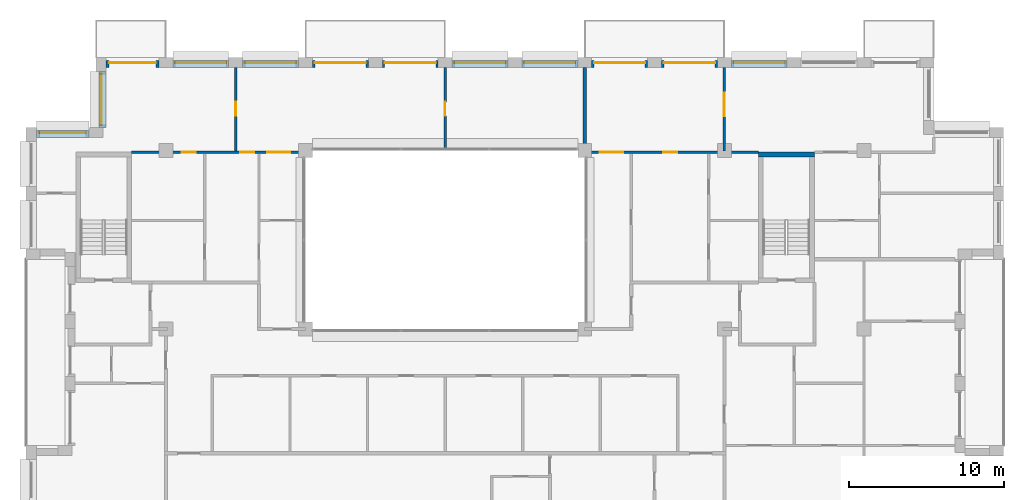
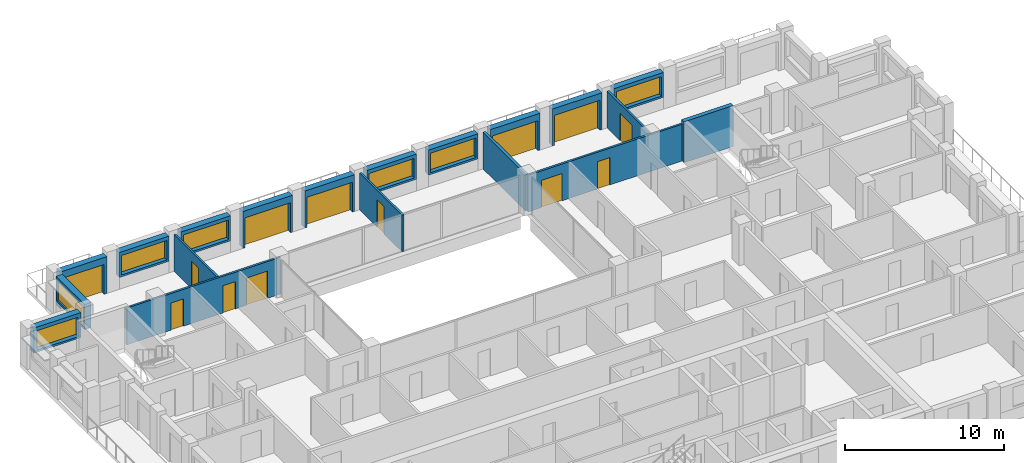
# One storey, part 13 of 15: 19 walls, 13 doors, 7 windows, 20 openings.
"""IFC4 building model written with IfcOpenShell, lengths in metres."""

from ifc_helpers import new_model, si_unit, direction, frame, frame_2d, origin, place, context, subcontext, project, spatial, rectangle, extrude, material, layer, layer_set, type_object, element, fill, save


model = new_model("IFC4")

# Units and contexts
model_context = context("Model", 3, precision=1e-05, world=origin(), true_north=direction((0.0, 1.0)))
body_context = subcontext(model_context, "Body", "Model", "MODEL_VIEW")
ifc_project = project(units=[si_unit("LENGTHUNIT", "METRE"), si_unit("AREAUNIT", "SQUARE_METRE"), si_unit("VOLUMEUNIT", "CUBIC_METRE"), si_unit("PLANEANGLEUNIT", "RADIAN"), si_unit("MASSUNIT", "GRAM", prefix="KILO")], contexts=[model_context])

# Site, building, storey
site_placement = place(None, origin())
site = spatial("IfcSite", under=ifc_project, at=site_placement, CompositionType="ELEMENT")
building_placement = place(site_placement, origin())
building = spatial("IfcBuilding", under=site, at=building_placement, Name="Brigalow Station Residences", CompositionType="ELEMENT")
storey_placement = place(building_placement, frame((0.0, 0.0, 213.75)))
storey = spatial("IfcBuildingStorey", under=building, at=storey_placement, Name="L61", CompositionType="ELEMENT", Elevation=213.75)

# Wall, opening, window
ifc_material_1 = material(Name="Clay brick masonry", Category="masonry")
ifc_layer_1 = layer(ifc_material_1, 0.449951171875)
ifc_layer_set_1 = layer_set([ifc_layer_1], Name="BRICK INFILL WALL 450")
wall_type_1 = type_object("IfcWallType", Name="BRICK INFILL WALL 450", PredefinedType="SOLIDWALL", material=ifc_layer_set_1)
wall_1_placement = place(storey_placement, frame((58.050048828125, 41.074951171875, 0.89990234375), z_axis=(0.0, 0.0, 1.0), x_axis=(-1.0, 0.0, 0.0)))
wall_1 = element("IfcWall", 1, at=wall_1_placement, inside=storey, type_object=wall_type_1, Name="L61/ewall/W-L61-22", PredefinedType="SOLIDWALL", context=body_context, shape_type="SweptSolid", body=[
    extrude(rectangle(XDim=3.60009765625, YDim=0.449951171875, at=frame_2d((1.800048828125, 0.0))), origin(), (0.0, 0.0, 1.0), 1.93017578125),
])
opening_1_placement = place(wall_1_placement, frame((0.14990234375, 0.0, 0.14990234375)))
opening_1 = element("IfcOpeningElement", 2, at=opening_1_placement, cuts=wall_1, Name="Opening WT-10", PredefinedType="OPENING", context=body_context, shape_type="SweptSolid", body=[
    extrude(rectangle(XDim=3.300048828125, YDim=1.5, at=frame_2d((1.64990234375, 0.75))), frame((0.0, 0.23486328125, 0.0), z_axis=(0.0, -1.0, 0.0), x_axis=(1.0, 0.0, 0.0)), (0.0, 0.0, 1.0), 0.469970703125),
])
ifc_material_2 = material(Name="Anodised aluminium frame with double glazing", Category="aluminium")
window_type_1 = type_object("IfcWindowType", Name="WINDOW 3300x1500", PartitioningType="SINGLE_PANEL", PredefinedType="WINDOW", material=ifc_material_2)
window_1_placement = place(opening_1_placement, origin())
window_1 = element("IfcWindow", 3, at=window_1_placement, inside=storey, type_object=window_type_1, Name="L61/window/W-L61-22", OverallHeight=1.5, OverallWidth=3.300048828125, PartitioningType="SINGLE_PANEL", PredefinedType="WINDOW", context=body_context, shape_type="SweptSolid", body=[
    extrude(rectangle(XDim=3.300048828125, YDim=1.5, at=frame_2d((1.64990234375, 0.75))), frame((0.0, -0.06494140625, 0.0), z_axis=(0.0, -1.0, 0.0), x_axis=(1.0, 0.0, 0.0)), (0.0, 0.0, 1.0), 0.06005859375),
])
fill(opening_1, window_1)

# Wall, opening, door
wall_2_placement = place(storey_placement, frame((53.550048828125, 41.074951171875, 0.0), z_axis=(0.0, 0.0, 1.0), x_axis=(-1.0, 0.0, 0.0)))
wall_2 = element("IfcWall", 4, at=wall_2_placement, inside=storey, type_object=wall_type_1, Name="L61/ewall/W-L61-23", PredefinedType="SOLIDWALL", context=body_context, shape_type="SweptSolid", body=[
    extrude(rectangle(XDim=3.60009765625, YDim=0.449951171875, at=frame_2d((1.800048828125, 0.0))), origin(), (0.0, 0.0, 1.0), 2.830078125),
])
opening_2_placement = place(wall_2_placement, frame((0.14990234375, 0.0, 0.0)))
opening_2 = element("IfcOpeningElement", 5, at=opening_2_placement, cuts=wall_2, Name="Opening D-B3300", PredefinedType="OPENING", context=body_context, shape_type="SweptSolid", body=[
    extrude(rectangle(XDim=3.300048828125, YDim=2.300048828125, at=frame_2d((1.64990234375, 1.14990234375))), frame((0.0, 0.23486328125, 0.0), z_axis=(0.0, -1.0, 0.0), x_axis=(1.0, 0.0, 0.0)), (0.0, 0.0, 1.0), 0.469970703125),
])
ifc_material_3 = material(Name="Anodised aluminium frame with double glazing", Category="aluminium")
door_type_1 = type_object("IfcDoorType", Name="BALCONY SLIDING DOOR 3300x2300", OperationType="SLIDING_TO_LEFT", PredefinedType="DOOR", material=ifc_material_3)
door_1_placement = place(opening_2_placement, origin())
door_1 = element("IfcDoor", 6, at=door_1_placement, inside=storey, type_object=door_type_1, Name="L61/balcony-door/W-L61-23", OperationType="SLIDING_TO_LEFT", OverallHeight=2.300048828125, OverallWidth=3.300048828125, PredefinedType="DOOR", context=body_context, shape_type="SweptSolid", body=[
    extrude(rectangle(XDim=3.300048828125, YDim=2.300048828125, at=frame_2d((1.64990234375, 1.14990234375))), frame((0.0, -0.06982421875, 0.0), z_axis=(0.0, -1.0, 0.0), x_axis=(1.0, 0.0, 0.0)), (0.0, 0.0, 1.0), 0.050048828125),
])
fill(opening_2, door_1)

wall_3_placement = place(storey_placement, frame((49.050048828125, 41.074951171875, 0.0), z_axis=(0.0, 0.0, 1.0), x_axis=(-1.0, 0.0, 0.0)))
wall_3 = element("IfcWall", 7, at=wall_3_placement, inside=storey, type_object=wall_type_1, Name="L61/ewall/W-L61-24", PredefinedType="SOLIDWALL", context=body_context, shape_type="SweptSolid", body=[
    extrude(rectangle(XDim=3.60009765625, YDim=0.449951171875, at=frame_2d((1.800048828125, 0.0))), origin(), (0.0, 0.0, 1.0), 2.830078125),
])
opening_3_placement = place(wall_3_placement, frame((0.14990234375, 0.0, 0.0)))
opening_3 = element("IfcOpeningElement", 8, at=opening_3_placement, cuts=wall_3, Name="Opening D-B3300", PredefinedType="OPENING", context=body_context, shape_type="SweptSolid", body=[
    extrude(rectangle(XDim=3.300048828125, YDim=2.300048828125, at=frame_2d((1.64990234375, 1.14990234375))), frame((0.0, 0.23486328125, 0.0), z_axis=(0.0, -1.0, 0.0), x_axis=(1.0, 0.0, 0.0)), (0.0, 0.0, 1.0), 0.469970703125),
])
door_2_placement = place(opening_3_placement, origin())
door_2 = element("IfcDoor", 9, at=door_2_placement, inside=storey, type_object=door_type_1, Name="L61/balcony-door/W-L61-24", OperationType="SLIDING_TO_LEFT", OverallHeight=2.300048828125, OverallWidth=3.300048828125, PredefinedType="DOOR", context=body_context, shape_type="SweptSolid", body=[
    extrude(rectangle(XDim=3.300048828125, YDim=2.300048828125, at=frame_2d((1.64990234375, 1.14990234375))), frame((0.0, -0.06982421875, 0.0), z_axis=(0.0, -1.0, 0.0), x_axis=(1.0, 0.0, 0.0)), (0.0, 0.0, 1.0), 0.050048828125),
])
fill(opening_3, door_2)

# Wall, opening, window
wall_4_placement = place(storey_placement, frame((44.550048828125, 41.074951171875, 0.89990234375), z_axis=(0.0, 0.0, 1.0), x_axis=(-1.0, 0.0, 0.0)))
wall_4 = element("IfcWall", 10, at=wall_4_placement, inside=storey, type_object=wall_type_1, Name="L61/ewall/W-L61-25", PredefinedType="SOLIDWALL", context=body_context, shape_type="SweptSolid", body=[
    extrude(rectangle(XDim=3.60009765625, YDim=0.449951171875, at=frame_2d((1.800048828125, 0.0))), origin(), (0.0, 0.0, 1.0), 1.93017578125),
])
opening_4_placement = place(wall_4_placement, frame((0.14990234375, 0.0, 0.14990234375)))
opening_4 = element("IfcOpeningElement", 11, at=opening_4_placement, cuts=wall_4, Name="Opening WT-10", PredefinedType="OPENING", context=body_context, shape_type="SweptSolid", body=[
    extrude(rectangle(XDim=3.300048828125, YDim=1.5, at=frame_2d((1.64990234375, 0.75))), frame((0.0, 0.23486328125, 0.0), z_axis=(0.0, -1.0, 0.0), x_axis=(1.0, 0.0, 0.0)), (0.0, 0.0, 1.0), 0.469970703125),
])
window_2_placement = place(opening_4_placement, origin())
window_2 = element("IfcWindow", 12, at=window_2_placement, inside=storey, type_object=window_type_1, Name="L61/window/W-L61-25", OverallHeight=1.5, OverallWidth=3.300048828125, PartitioningType="SINGLE_PANEL", PredefinedType="WINDOW", context=body_context, shape_type="SweptSolid", body=[
    extrude(rectangle(XDim=3.300048828125, YDim=1.5, at=frame_2d((1.64990234375, 0.75))), frame((0.0, -0.06494140625, 0.0), z_axis=(0.0, -1.0, 0.0), x_axis=(1.0, 0.0, 0.0)), (0.0, 0.0, 1.0), 0.06005859375),
])
fill(opening_4, window_2)

wall_5_placement = place(storey_placement, frame((40.050048828125, 41.074951171875, 0.89990234375), z_axis=(0.0, 0.0, 1.0), x_axis=(-1.0, 0.0, 0.0)))
wall_5 = element("IfcWall", 13, at=wall_5_placement, inside=storey, type_object=wall_type_1, Name="L61/ewall/W-L61-26", PredefinedType="SOLIDWALL", context=body_context, shape_type="SweptSolid", body=[
    extrude(rectangle(XDim=3.60009765625, YDim=0.449951171875, at=frame_2d((1.800048828125, 0.0))), origin(), (0.0, 0.0, 1.0), 1.93017578125),
])
opening_5_placement = place(wall_5_placement, frame((0.14990234375, 0.0, 0.14990234375)))
opening_5 = element("IfcOpeningElement", 14, at=opening_5_placement, cuts=wall_5, Name="Opening WT-10", PredefinedType="OPENING", context=body_context, shape_type="SweptSolid", body=[
    extrude(rectangle(XDim=3.300048828125, YDim=1.5, at=frame_2d((1.64990234375, 0.75))), frame((0.0, 0.23486328125, 0.0), z_axis=(0.0, -1.0, 0.0), x_axis=(1.0, 0.0, 0.0)), (0.0, 0.0, 1.0), 0.469970703125),
])
window_3_placement = place(opening_5_placement, origin())
window_3 = element("IfcWindow", 15, at=window_3_placement, inside=storey, type_object=window_type_1, Name="L61/window/W-L61-26", OverallHeight=1.5, OverallWidth=3.300048828125, PartitioningType="SINGLE_PANEL", PredefinedType="WINDOW", context=body_context, shape_type="SweptSolid", body=[
    extrude(rectangle(XDim=3.300048828125, YDim=1.5, at=frame_2d((1.64990234375, 0.75))), frame((0.0, -0.06494140625, 0.0), z_axis=(0.0, -1.0, 0.0), x_axis=(1.0, 0.0, 0.0)), (0.0, 0.0, 1.0), 0.06005859375),
])
fill(opening_5, window_3)

# Wall, opening, door
wall_6_placement = place(storey_placement, frame((35.550048828125, 41.074951171875, 0.0), z_axis=(0.0, 0.0, 1.0), x_axis=(-1.0, 0.0, 0.0)))
wall_6 = element("IfcWall", 16, at=wall_6_placement, inside=storey, type_object=wall_type_1, Name="L61/ewall/W-L61-27", PredefinedType="SOLIDWALL", context=body_context, shape_type="SweptSolid", body=[
    extrude(rectangle(XDim=3.60009765625, YDim=0.449951171875, at=frame_2d((1.800048828125, 0.0))), origin(), (0.0, 0.0, 1.0), 2.830078125),
])
opening_6_placement = place(wall_6_placement, frame((0.14990234375, 0.0, 0.0)))
opening_6 = element("IfcOpeningElement", 17, at=opening_6_placement, cuts=wall_6, Name="Opening D-B3300", PredefinedType="OPENING", context=body_context, shape_type="SweptSolid", body=[
    extrude(rectangle(XDim=3.300048828125, YDim=2.300048828125, at=frame_2d((1.64990234375, 1.14990234375))), frame((0.0, 0.23486328125, 0.0), z_axis=(0.0, -1.0, 0.0), x_axis=(1.0, 0.0, 0.0)), (0.0, 0.0, 1.0), 0.469970703125),
])
door_3_placement = place(opening_6_placement, origin())
door_3 = element("IfcDoor", 18, at=door_3_placement, inside=storey, type_object=door_type_1, Name="L61/balcony-door/W-L61-27", OperationType="SLIDING_TO_LEFT", OverallHeight=2.300048828125, OverallWidth=3.300048828125, PredefinedType="DOOR", context=body_context, shape_type="SweptSolid", body=[
    extrude(rectangle(XDim=3.300048828125, YDim=2.300048828125, at=frame_2d((1.64990234375, 1.14990234375))), frame((0.0, -0.06982421875, 0.0), z_axis=(0.0, -1.0, 0.0), x_axis=(1.0, 0.0, 0.0)), (0.0, 0.0, 1.0), 0.050048828125),
])
fill(opening_6, door_3)

wall_7_placement = place(storey_placement, frame((31.050048828125, 41.074951171875, 0.0), z_axis=(0.0, 0.0, 1.0), x_axis=(-1.0, 0.0, 0.0)))
wall_7 = element("IfcWall", 19, at=wall_7_placement, inside=storey, type_object=wall_type_1, Name="L61/ewall/W-L61-28", PredefinedType="SOLIDWALL", context=body_context, shape_type="SweptSolid", body=[
    extrude(rectangle(XDim=3.60009765625, YDim=0.449951171875, at=frame_2d((1.800048828125, 0.0))), origin(), (0.0, 0.0, 1.0), 2.830078125),
])
opening_7_placement = place(wall_7_placement, frame((0.14990234375, 0.0, 0.0)))
opening_7 = element("IfcOpeningElement", 20, at=opening_7_placement, cuts=wall_7, Name="Opening D-B3300", PredefinedType="OPENING", context=body_context, shape_type="SweptSolid", body=[
    extrude(rectangle(XDim=3.300048828125, YDim=2.300048828125, at=frame_2d((1.64990234375, 1.14990234375))), frame((0.0, 0.23486328125, 0.0), z_axis=(0.0, -1.0, 0.0), x_axis=(1.0, 0.0, 0.0)), (0.0, 0.0, 1.0), 0.469970703125),
])
door_4_placement = place(opening_7_placement, origin())
door_4 = element("IfcDoor", 21, at=door_4_placement, inside=storey, type_object=door_type_1, Name="L61/balcony-door/W-L61-28", OperationType="SLIDING_TO_LEFT", OverallHeight=2.300048828125, OverallWidth=3.300048828125, PredefinedType="DOOR", context=body_context, shape_type="SweptSolid", body=[
    extrude(rectangle(XDim=3.300048828125, YDim=2.300048828125, at=frame_2d((1.64990234375, 1.14990234375))), frame((0.0, -0.06982421875, 0.0), z_axis=(0.0, -1.0, 0.0), x_axis=(1.0, 0.0, 0.0)), (0.0, 0.0, 1.0), 0.050048828125),
])
fill(opening_7, door_4)

# Wall, opening, window
wall_8_placement = place(storey_placement, frame((26.550048828125, 41.074951171875, 0.89990234375), z_axis=(0.0, 0.0, 1.0), x_axis=(-1.0, 0.0, 0.0)))
wall_8 = element("IfcWall", 22, at=wall_8_placement, inside=storey, type_object=wall_type_1, Name="L61/ewall/W-L61-29", PredefinedType="SOLIDWALL", context=body_context, shape_type="SweptSolid", body=[
    extrude(rectangle(XDim=3.60009765625, YDim=0.449951171875, at=frame_2d((1.800048828125, 0.0))), origin(), (0.0, 0.0, 1.0), 1.93017578125),
])
opening_8_placement = place(wall_8_placement, frame((0.14990234375, 0.0, 0.14990234375)))
opening_8 = element("IfcOpeningElement", 23, at=opening_8_placement, cuts=wall_8, Name="Opening WT-10", PredefinedType="OPENING", context=body_context, shape_type="SweptSolid", body=[
    extrude(rectangle(XDim=3.300048828125, YDim=1.5, at=frame_2d((1.64990234375, 0.75))), frame((0.0, 0.23486328125, 0.0), z_axis=(0.0, -1.0, 0.0), x_axis=(1.0, 0.0, 0.0)), (0.0, 0.0, 1.0), 0.469970703125),
])
window_4_placement = place(opening_8_placement, origin())
window_4 = element("IfcWindow", 24, at=window_4_placement, inside=storey, type_object=window_type_1, Name="L61/window/W-L61-29", OverallHeight=1.5, OverallWidth=3.300048828125, PartitioningType="SINGLE_PANEL", PredefinedType="WINDOW", context=body_context, shape_type="SweptSolid", body=[
    extrude(rectangle(XDim=3.300048828125, YDim=1.5, at=frame_2d((1.64990234375, 0.75))), frame((0.0, -0.06494140625, 0.0), z_axis=(0.0, -1.0, 0.0), x_axis=(1.0, 0.0, 0.0)), (0.0, 0.0, 1.0), 0.06005859375),
])
fill(opening_8, window_4)

wall_9_placement = place(storey_placement, frame((22.050048828125, 41.074951171875, 0.89990234375), z_axis=(0.0, 0.0, 1.0), x_axis=(-1.0, 0.0, 0.0)))
wall_9 = element("IfcWall", 25, at=wall_9_placement, inside=storey, type_object=wall_type_1, Name="L61/ewall/W-L61-30", PredefinedType="SOLIDWALL", context=body_context, shape_type="SweptSolid", body=[
    extrude(rectangle(XDim=3.60009765625, YDim=0.449951171875, at=frame_2d((1.800048828125, 0.0))), origin(), (0.0, 0.0, 1.0), 1.93017578125),
])
opening_9_placement = place(wall_9_placement, frame((0.14990234375, 0.0, 0.14990234375)))
opening_9 = element("IfcOpeningElement", 26, at=opening_9_placement, cuts=wall_9, Name="Opening WT-10", PredefinedType="OPENING", context=body_context, shape_type="SweptSolid", body=[
    extrude(rectangle(XDim=3.300048828125, YDim=1.5, at=frame_2d((1.64990234375, 0.75))), frame((0.0, 0.23486328125, 0.0), z_axis=(0.0, -1.0, 0.0), x_axis=(1.0, 0.0, 0.0)), (0.0, 0.0, 1.0), 0.469970703125),
])
window_5_placement = place(opening_9_placement, origin())
window_5 = element("IfcWindow", 27, at=window_5_placement, inside=storey, type_object=window_type_1, Name="L61/window/W-L61-30", OverallHeight=1.5, OverallWidth=3.300048828125, PartitioningType="SINGLE_PANEL", PredefinedType="WINDOW", context=body_context, shape_type="SweptSolid", body=[
    extrude(rectangle(XDim=3.300048828125, YDim=1.5, at=frame_2d((1.64990234375, 0.75))), frame((0.0, -0.06494140625, 0.0), z_axis=(0.0, -1.0, 0.0), x_axis=(1.0, 0.0, 0.0)), (0.0, 0.0, 1.0), 0.06005859375),
])
fill(opening_9, window_5)

# Wall, opening, door
wall_10_placement = place(storey_placement, frame((17.550048828125, 41.074951171875, 0.0), z_axis=(0.0, 0.0, 1.0), x_axis=(-1.0, 0.0, 0.0)))
wall_10 = element("IfcWall", 28, at=wall_10_placement, inside=storey, type_object=wall_type_1, Name="L61/ewall/W-L61-31", PredefinedType="SOLIDWALL", context=body_context, shape_type="SweptSolid", body=[
    extrude(rectangle(XDim=3.400146484375, YDim=0.449951171875, at=frame_2d((1.7001953125, 0.0))), origin(), (0.0, 0.0, 1.0), 2.830078125),
])
opening_10_placement = place(wall_10_placement, frame((0.199951171875, 0.0, 0.0)))
opening_10 = element("IfcOpeningElement", 29, at=opening_10_placement, cuts=wall_10, Name="Opening D-B3000", PredefinedType="OPENING", context=body_context, shape_type="SweptSolid", body=[
    extrude(rectangle(XDim=3.0, YDim=2.300048828125, at=frame_2d((1.5, 1.14990234375))), frame((0.0, 0.23486328125, 0.0), z_axis=(0.0, -1.0, 0.0), x_axis=(1.0, 0.0, 0.0)), (0.0, 0.0, 1.0), 0.469970703125),
])
ifc_material_4 = material(Name="Anodised aluminium frame with double glazing", Category="aluminium")
door_type_2 = type_object("IfcDoorType", Name="BALCONY SLIDING DOOR 3000x2300", OperationType="SLIDING_TO_LEFT", PredefinedType="DOOR", material=ifc_material_4)
door_5_placement = place(opening_10_placement, origin())
door_5 = element("IfcDoor", 30, at=door_5_placement, inside=storey, type_object=door_type_2, Name="L61/balcony-door/W-L61-31", OperationType="SLIDING_TO_LEFT", OverallHeight=2.300048828125, OverallWidth=3.0, PredefinedType="DOOR", context=body_context, shape_type="SweptSolid", body=[
    extrude(rectangle(XDim=3.0, YDim=2.300048828125, at=frame_2d((1.5, 1.14990234375))), frame((0.0, -0.06982421875, 0.0), z_axis=(0.0, -1.0, 0.0), x_axis=(1.0, 0.0, 0.0)), (0.0, 0.0, 1.0), 0.050048828125),
])
fill(opening_10, door_5)

# Wall, opening, window
wall_11_placement = place(storey_placement, frame((13.925048828125, 40.60009765625, 0.89990234375), z_axis=(0.0, 0.0, 1.0), x_axis=(0.0, -1.0, 0.0)))
wall_11 = element("IfcWall", 31, at=wall_11_placement, inside=storey, type_object=wall_type_1, Name="L61/ewall/W-L61-32", PredefinedType="SOLIDWALL", context=body_context, shape_type="SweptSolid", body=[
    extrude(rectangle(XDim=3.60009765625, YDim=0.449951171875, at=frame_2d((1.800048828125, 0.0))), origin(), (0.0, 0.0, 1.0), 1.93017578125),
])
opening_11_placement = place(wall_11_placement, frame((0.14990234375, 0.0, 0.14990234375)))
opening_11 = element("IfcOpeningElement", 32, at=opening_11_placement, cuts=wall_11, Name="Opening WT-10", PredefinedType="OPENING", context=body_context, shape_type="SweptSolid", body=[
    extrude(rectangle(XDim=3.300048828125, YDim=1.5, at=frame_2d((1.64990234375, 0.75))), frame((0.0, 0.23486328125, 0.0), z_axis=(0.0, -1.0, 0.0), x_axis=(1.0, 0.0, 0.0)), (0.0, 0.0, 1.0), 0.469970703125),
])
window_6_placement = place(opening_11_placement, origin())
window_6 = element("IfcWindow", 33, at=window_6_placement, inside=storey, type_object=window_type_1, Name="L61/window/W-L61-32", OverallHeight=1.5, OverallWidth=3.300048828125, PartitioningType="SINGLE_PANEL", PredefinedType="WINDOW", context=body_context, shape_type="SweptSolid", body=[
    extrude(rectangle(XDim=3.300048828125, YDim=1.5, at=frame_2d((1.64990234375, 0.75))), frame((0.0, -0.06494140625, 0.0), z_axis=(0.0, -1.0, 0.0), x_axis=(1.0, 0.0, 0.0)), (0.0, 0.0, 1.0), 0.06005859375),
])
fill(opening_11, window_6)

wall_12_placement = place(storey_placement, frame((13.050048828125, 36.574951171875, 0.89990234375), z_axis=(0.0, 0.0, 1.0), x_axis=(-1.0, 0.0, 0.0)))
wall_12 = element("IfcWall", 34, at=wall_12_placement, inside=storey, type_object=wall_type_1, Name="L61/ewall/W-L61-33", PredefinedType="SOLIDWALL", context=body_context, shape_type="SweptSolid", body=[
    extrude(rectangle(XDim=3.400146484375, YDim=0.449951171875, at=frame_2d((1.7001953125, 0.0))), origin(), (0.0, 0.0, 1.0), 1.93017578125),
])
opening_12_placement = place(wall_12_placement, frame((0.199951171875, 0.0, 0.14990234375)))
opening_12 = element("IfcOpeningElement", 35, at=opening_12_placement, cuts=wall_12, Name="Opening WT-2", PredefinedType="OPENING", context=body_context, shape_type="SweptSolid", body=[
    extrude(rectangle(XDim=3.0, YDim=1.5, at=frame_2d((1.5, 0.75))), frame((0.0, 0.23486328125, 0.0), z_axis=(0.0, -1.0, 0.0), x_axis=(1.0, 0.0, 0.0)), (0.0, 0.0, 1.0), 0.469970703125),
])
ifc_material_5 = material(Name="Anodised aluminium frame with double glazing", Category="aluminium")
window_type_2 = type_object("IfcWindowType", Name="WINDOW 3000x1500", PartitioningType="SINGLE_PANEL", PredefinedType="WINDOW", material=ifc_material_5)
window_7_placement = place(opening_12_placement, origin())
window_7 = element("IfcWindow", 36, at=window_7_placement, inside=storey, type_object=window_type_2, Name="L61/window/W-L61-33", OverallHeight=1.5, OverallWidth=3.0, PartitioningType="SINGLE_PANEL", PredefinedType="WINDOW", context=body_context, shape_type="SweptSolid", body=[
    extrude(rectangle(XDim=3.0, YDim=1.5, at=frame_2d((1.5, 0.75))), frame((0.0, -0.06494140625, 0.0), z_axis=(0.0, -1.0, 0.0), x_axis=(1.0, 0.0, 0.0)), (0.0, 0.0, 1.0), 0.06005859375),
])
fill(opening_12, window_7)

# Wall
ifc_material_6 = material(Name="Concrete C50", Category="concrete")
ifc_layer_2 = layer(ifc_material_6, 0.300048828125)
ifc_layer_set_2 = layer_set([ifc_layer_2], Name="CORE SHEAR WALL 300 C50")
wall_type_2 = type_object("IfcWallType", Name="CORE SHEAR WALL 300 C50", PredefinedType="SHEAR", material=ifc_layer_set_2)
wall_13_placement = place(storey_placement, frame((56.199951171875, 35.25, 0.0), z_axis=(0.0, 0.0, 1.0), x_axis=(1.0, 0.0, 0.0)))
element("IfcWall", 37, at=wall_13_placement, inside=storey, type_object=wall_type_2, Name="CORE WALL ST-S3-N L61", PredefinedType="SHEAR", context=body_context, shape_type="SweptSolid", body=[
    extrude(rectangle(XDim=3.60009765625, YDim=0.300048828125, at=frame_2d((1.800048828125, 0.0))), origin(), (0.0, 0.0, 1.0), 3.14990234375),
])

# Wall, openings, doors
ifc_material_7 = material(Name="Plasterboard on steel stud partition", Category="steel")
ifc_layer_3 = layer(ifc_material_7, 0.14990234375)
ifc_layer_set_3 = layer_set([ifc_layer_3], Name="FLAT PARTITION 150")
wall_type_3 = type_object("IfcWallType", Name="FLAT PARTITION 150", PredefinedType="PARTITIONING", material=ifc_layer_set_3)
wall_14_placement = place(storey_placement, frame((15.800048828125, 35.39990234375, 0.0), z_axis=(0.0, 0.0, 1.0), x_axis=(1.0, 0.0, 0.0)))
wall_14 = element("IfcWall", 38, at=wall_14_placement, inside=storey, type_object=wall_type_3, Name="PW-4B19", PredefinedType="PARTITIONING", context=body_context, shape_type="SweptSolid", body=[
    extrude(rectangle(XDim=11.199951171875, YDim=0.14990234375, at=frame_2d((5.60009765625, 0.0))), origin(), (0.0, 0.0, 1.0), 2.830078125),
])
opening_13_placement = place(wall_14_placement, frame((8.72509765625, 0.0, 0.0)))
opening_13 = element("IfcOpeningElement", 39, at=opening_13_placement, cuts=wall_14, Name="Opening D-4B14", PredefinedType="OPENING", context=body_context, shape_type="SweptSolid", body=[
    extrude(rectangle(XDim=1.5, YDim=2.10009765625, at=frame_2d((0.75, 1.050048828125))), frame((0.0, 0.0849609375, 0.0), z_axis=(0.0, -1.0, 0.0), x_axis=(1.0, 0.0, 0.0)), (0.0, 0.0, 1.0), 0.169921875),
])
opening_14_placement = place(wall_14_placement, frame((7.0, 0.0, 0.0)))
opening_14 = element("IfcOpeningElement", 40, at=opening_14_placement, cuts=wall_14, Name="Opening D-4B15", PredefinedType="OPENING", context=body_context, shape_type="SweptSolid", body=[
    extrude(rectangle(XDim=0.89990234375, YDim=2.10009765625, at=frame_2d((0.449951171875, 1.050048828125))), frame((0.0, 0.0849609375, 0.0), z_axis=(0.0, -1.0, 0.0), x_axis=(1.0, 0.0, 0.0)), (0.0, 0.0, 1.0), 0.169921875),
])
opening_15_placement = place(wall_14_placement, frame((3.22509765625, 0.0, 0.0)))
opening_15 = element("IfcOpeningElement", 41, at=opening_15_placement, cuts=wall_14, Name="Opening D-4B18", PredefinedType="OPENING", context=body_context, shape_type="SweptSolid", body=[
    extrude(rectangle(XDim=0.89990234375, YDim=2.10009765625, at=frame_2d((0.449951171875, 1.050048828125))), frame((0.0, 0.0849609375, 0.0), z_axis=(0.0, -1.0, 0.0), x_axis=(1.0, 0.0, 0.0)), (0.0, 0.0, 1.0), 0.169921875),
])
ifc_material_8 = material(Name="Solid-core timber door leaf", Category="wood")
door_type_3 = type_object("IfcDoorType", Name="INTERNAL DOOR 900 x 2100", OperationType="SINGLE_SWING_LEFT", PredefinedType="DOOR", material=ifc_material_8)
door_6_placement = place(opening_14_placement, frame((0.89990234375, 0.0, 0.0), z_axis=(0.0, 0.0, 1.0), x_axis=(-1.0, 0.0, 0.0)))
door_6 = element("IfcDoor", 42, at=door_6_placement, inside=storey, type_object=door_type_3, Name="D-4B15", OperationType="SINGLE_SWING_LEFT", OverallHeight=2.10009765625, OverallWidth=0.89990234375, PredefinedType="DOOR", context=body_context, shape_type="SweptSolid", body=[
    extrude(rectangle(XDim=0.89990234375, YDim=2.10009765625, at=frame_2d((0.449951171875, 1.050048828125))), frame((0.0, 0.02490234375, 0.0), z_axis=(0.0, -1.0, 0.0), x_axis=(1.0, 0.0, 0.0)), (0.0, 0.0, 1.0), 0.050048828125),
])
fill(opening_14, door_6)
door_7_placement = place(opening_15_placement, frame((0.89990234375, 0.0, 0.0), z_axis=(0.0, 0.0, 1.0), x_axis=(-1.0, 0.0, 0.0)))
door_7 = element("IfcDoor", 43, at=door_7_placement, inside=storey, type_object=door_type_3, Name="D-4B18", OperationType="SINGLE_SWING_LEFT", OverallHeight=2.10009765625, OverallWidth=0.89990234375, PredefinedType="DOOR", context=body_context, shape_type="SweptSolid", body=[
    extrude(rectangle(XDim=0.89990234375, YDim=2.10009765625, at=frame_2d((0.449951171875, 1.050048828125))), frame((0.0, 0.02490234375, 0.0), z_axis=(0.0, -1.0, 0.0), x_axis=(1.0, 0.0, 0.0)), (0.0, 0.0, 1.0), 0.050048828125),
])
fill(opening_15, door_7)
ifc_material_9 = material(Name="Solid-core timber door leaf", Category="wood")
door_type_4 = type_object("IfcDoorType", Name="INTERNAL DOUBLE DOOR 1500 x 2100", OperationType="DOUBLE_DOOR_SINGLE_SWING", PredefinedType="DOOR", material=ifc_material_9)
door_8_placement = place(opening_13_placement, origin())
door_8 = element("IfcDoor", 44, at=door_8_placement, inside=storey, type_object=door_type_4, Name="D-4B14", OperationType="DOUBLE_DOOR_SINGLE_SWING", OverallHeight=2.10009765625, OverallWidth=1.5, PredefinedType="DOOR", context=body_context, shape_type="SweptSolid", body=[
    extrude(rectangle(XDim=1.5, YDim=2.10009765625, at=frame_2d((0.75, 1.050048828125))), frame((0.0, 0.02490234375, 0.0), z_axis=(0.0, -1.0, 0.0), x_axis=(1.0, 0.0, 0.0)), (0.0, 0.0, 1.0), 0.050048828125),
])
fill(opening_13, door_8)

wall_15_placement = place(storey_placement, frame((45.0, 35.39990234375, 0.0), z_axis=(0.0, 0.0, 1.0), x_axis=(1.0, 0.0, 0.0)))
wall_15 = element("IfcWall", 45, at=wall_15_placement, inside=storey, type_object=wall_type_3, Name="PW-4B20", PredefinedType="PARTITIONING", context=body_context, shape_type="SweptSolid", body=[
    extrude(rectangle(XDim=11.199951171875, YDim=0.14990234375, at=frame_2d((5.60009765625, 0.0))), origin(), (0.0, 0.0, 1.0), 2.830078125),
])
opening_16_placement = place(wall_15_placement, frame((0.97509765625, 0.0, 0.0)))
opening_16 = element("IfcOpeningElement", 46, at=opening_16_placement, cuts=wall_15, Name="Opening D-4B22", PredefinedType="OPENING", context=body_context, shape_type="SweptSolid", body=[
    extrude(rectangle(XDim=1.5, YDim=2.10009765625, at=frame_2d((0.75, 1.050048828125))), frame((0.0, 0.0849609375, 0.0), z_axis=(0.0, -1.0, 0.0), x_axis=(1.0, 0.0, 0.0)), (0.0, 0.0, 1.0), 0.169921875),
])
opening_17_placement = place(wall_15_placement, frame((5.050048828125, 0.0, 0.0)))
opening_17 = element("IfcOpeningElement", 47, at=opening_17_placement, cuts=wall_15, Name="Opening D-4B23", PredefinedType="OPENING", context=body_context, shape_type="SweptSolid", body=[
    extrude(rectangle(XDim=0.89990234375, YDim=2.10009765625, at=frame_2d((0.449951171875, 1.050048828125))), frame((0.0, 0.0849609375, 0.0), z_axis=(0.0, -1.0, 0.0), x_axis=(1.0, 0.0, 0.0)), (0.0, 0.0, 1.0), 0.169921875),
])
door_9_placement = place(opening_17_placement, frame((0.89990234375, 0.0, 0.0), z_axis=(0.0, 0.0, 1.0), x_axis=(-1.0, 0.0, 0.0)))
door_9 = element("IfcDoor", 48, at=door_9_placement, inside=storey, type_object=door_type_3, Name="D-4B23", OperationType="SINGLE_SWING_LEFT", OverallHeight=2.10009765625, OverallWidth=0.89990234375, PredefinedType="DOOR", context=body_context, shape_type="SweptSolid", body=[
    extrude(rectangle(XDim=0.89990234375, YDim=2.10009765625, at=frame_2d((0.449951171875, 1.050048828125))), frame((0.0, 0.02490234375, 0.0), z_axis=(0.0, -1.0, 0.0), x_axis=(1.0, 0.0, 0.0)), (0.0, 0.0, 1.0), 0.050048828125),
])
fill(opening_17, door_9)
door_10_placement = place(opening_16_placement, frame((1.5, 0.0, 0.0), z_axis=(0.0, 0.0, 1.0), x_axis=(-1.0, 0.0, 0.0)))
door_10 = element("IfcDoor", 49, at=door_10_placement, inside=storey, type_object=door_type_4, Name="D-4B22", OperationType="DOUBLE_DOOR_SINGLE_SWING", OverallHeight=2.10009765625, OverallWidth=1.5, PredefinedType="DOOR", context=body_context, shape_type="SweptSolid", body=[
    extrude(rectangle(XDim=1.5, YDim=2.10009765625, at=frame_2d((0.75, 1.050048828125))), frame((0.0, 0.02490234375, 0.0), z_axis=(0.0, -1.0, 0.0), x_axis=(1.0, 0.0, 0.0)), (0.0, 0.0, 1.0), 0.050048828125),
])
fill(opening_16, door_10)

# Wall, opening, door
wall_16_placement = place(storey_placement, frame((54.0, 35.47509765625, 0.0), z_axis=(0.0, 0.0, 1.0), x_axis=(0.0, 1.0, 0.0)))
wall_16 = element("IfcWall", 50, at=wall_16_placement, inside=storey, type_object=wall_type_3, Name="PW-4B29", PredefinedType="PARTITIONING", context=body_context, shape_type="SweptSolid", body=[
    extrude(rectangle(XDim=5.375, YDim=0.14990234375, at=frame_2d((2.6875, 0.0))), origin(), (0.0, 0.0, 1.0), 2.830078125),
])
opening_18_placement = place(wall_16_placement, frame((2.25, 0.0, 0.0)))
opening_18 = element("IfcOpeningElement", 51, at=opening_18_placement, cuts=wall_16, Name="Opening D-4B26", PredefinedType="OPENING", context=body_context, shape_type="SweptSolid", body=[
    extrude(rectangle(XDim=1.5, YDim=2.10009765625, at=frame_2d((0.75, 1.050048828125))), frame((0.0, 0.0849609375, 0.0), z_axis=(0.0, -1.0, 0.0), x_axis=(1.0, 0.0, 0.0)), (0.0, 0.0, 1.0), 0.169921875),
])
door_11_placement = place(opening_18_placement, origin())
door_11 = element("IfcDoor", 52, at=door_11_placement, inside=storey, type_object=door_type_4, Name="D-4B26", OperationType="DOUBLE_DOOR_SINGLE_SWING", OverallHeight=2.10009765625, OverallWidth=1.5, PredefinedType="DOOR", context=body_context, shape_type="SweptSolid", body=[
    extrude(rectangle(XDim=1.5, YDim=2.10009765625, at=frame_2d((0.75, 1.050048828125))), frame((0.0, 0.02490234375, 0.0), z_axis=(0.0, -1.0, 0.0), x_axis=(1.0, 0.0, 0.0)), (0.0, 0.0, 1.0), 0.050048828125),
])
fill(opening_18, door_11)

wall_17_placement = place(storey_placement, frame((22.5, 35.47509765625, 0.0), z_axis=(0.0, 0.0, 1.0), x_axis=(0.0, 1.0, 0.0)))
wall_17 = element("IfcWall", 53, at=wall_17_placement, inside=storey, type_object=wall_type_3, Name="PW-4B40", PredefinedType="PARTITIONING", context=body_context, shape_type="SweptSolid", body=[
    extrude(rectangle(XDim=5.375, YDim=0.14990234375, at=frame_2d((2.6875, 0.0))), origin(), (0.0, 0.0, 1.0), 2.830078125),
])
opening_19_placement = place(wall_17_placement, frame((2.27490234375, 0.0, 0.0)))
opening_19 = element("IfcOpeningElement", 54, at=opening_19_placement, cuts=wall_17, Name="Opening D-4B16", PredefinedType="OPENING", context=body_context, shape_type="SweptSolid", body=[
    extrude(rectangle(XDim=0.89990234375, YDim=2.10009765625, at=frame_2d((0.449951171875, 1.050048828125))), frame((0.0, 0.0849609375, 0.0), z_axis=(0.0, -1.0, 0.0), x_axis=(1.0, 0.0, 0.0)), (0.0, 0.0, 1.0), 0.169921875),
])
door_12_placement = place(opening_19_placement, origin())
door_12 = element("IfcDoor", 55, at=door_12_placement, inside=storey, type_object=door_type_3, Name="D-4B16", OperationType="SINGLE_SWING_RIGHT", OverallHeight=2.10009765625, OverallWidth=0.89990234375, PredefinedType="DOOR", context=body_context, shape_type="SweptSolid", body=[
    extrude(rectangle(XDim=0.89990234375, YDim=2.10009765625, at=frame_2d((0.449951171875, 1.050048828125))), frame((0.0, 0.02490234375, 0.0), z_axis=(0.0, -1.0, 0.0), x_axis=(1.0, 0.0, 0.0)), (0.0, 0.0, 1.0), 0.050048828125),
])
fill(opening_19, door_12)

wall_18_placement = place(storey_placement, frame((36.0, 35.5, 0.0), z_axis=(0.0, 0.0, 1.0), x_axis=(0.0, 1.0, 0.0)))
wall_18 = element("IfcWall", 56, at=wall_18_placement, inside=storey, type_object=wall_type_3, Name="PW-4B42", PredefinedType="PARTITIONING", context=body_context, shape_type="SweptSolid", body=[
    extrude(rectangle(XDim=5.35009765625, YDim=0.14990234375, at=frame_2d((2.675048828125, 0.0))), origin(), (0.0, 0.0, 1.0), 2.830078125),
])
opening_20_placement = place(wall_18_placement, frame((2.25, 0.0, 0.0)))
opening_20 = element("IfcOpeningElement", 57, at=opening_20_placement, cuts=wall_18, Name="Opening D-4B19", PredefinedType="OPENING", context=body_context, shape_type="SweptSolid", body=[
    extrude(rectangle(XDim=0.89990234375, YDim=2.10009765625, at=frame_2d((0.449951171875, 1.050048828125))), frame((0.0, 0.0849609375, 0.0), z_axis=(0.0, -1.0, 0.0), x_axis=(1.0, 0.0, 0.0)), (0.0, 0.0, 1.0), 0.169921875),
])
door_13_placement = place(opening_20_placement, frame((0.89990234375, 0.0, 0.0), z_axis=(0.0, 0.0, 1.0), x_axis=(-1.0, 0.0, 0.0)))
door_13 = element("IfcDoor", 58, at=door_13_placement, inside=storey, type_object=door_type_3, Name="D-4B19", OperationType="SINGLE_SWING_LEFT", OverallHeight=2.10009765625, OverallWidth=0.89990234375, PredefinedType="DOOR", context=body_context, shape_type="SweptSolid", body=[
    extrude(rectangle(XDim=0.89990234375, YDim=2.10009765625, at=frame_2d((0.449951171875, 1.050048828125))), frame((0.0, 0.02490234375, 0.0), z_axis=(0.0, -1.0, 0.0), x_axis=(1.0, 0.0, 0.0)), (0.0, 0.0, 1.0), 0.050048828125),
])
fill(opening_20, door_13)

# Wall
ifc_material_10 = material(Name="Plasterboard on steel stud partition", Category="steel")
ifc_layer_4 = layer(ifc_material_10, 0.199951171875)
ifc_layer_set_4 = layer_set([ifc_layer_4], Name="PARTY AND CORRIDOR WALL 200")
wall_type_4 = type_object("IfcWallType", Name="PARTY AND CORRIDOR WALL 200", PredefinedType="PARTITIONING", material=ifc_layer_set_4)
wall_19_placement = place(storey_placement, frame((45.0, 35.5, 0.0), z_axis=(0.0, 0.0, 1.0), x_axis=(0.0, 1.0, 0.0)))
element("IfcWall", 59, at=wall_19_placement, inside=storey, type_object=wall_type_4, Name="PW-4B43", PredefinedType="PARTITIONING", context=body_context, shape_type="SweptSolid", body=[
    extrude(rectangle(XDim=5.35009765625, YDim=0.199951171875, at=frame_2d((2.675048828125, 0.0))), origin(), (0.0, 0.0, 1.0), 2.830078125),
])

save(model, "model.ifc")
